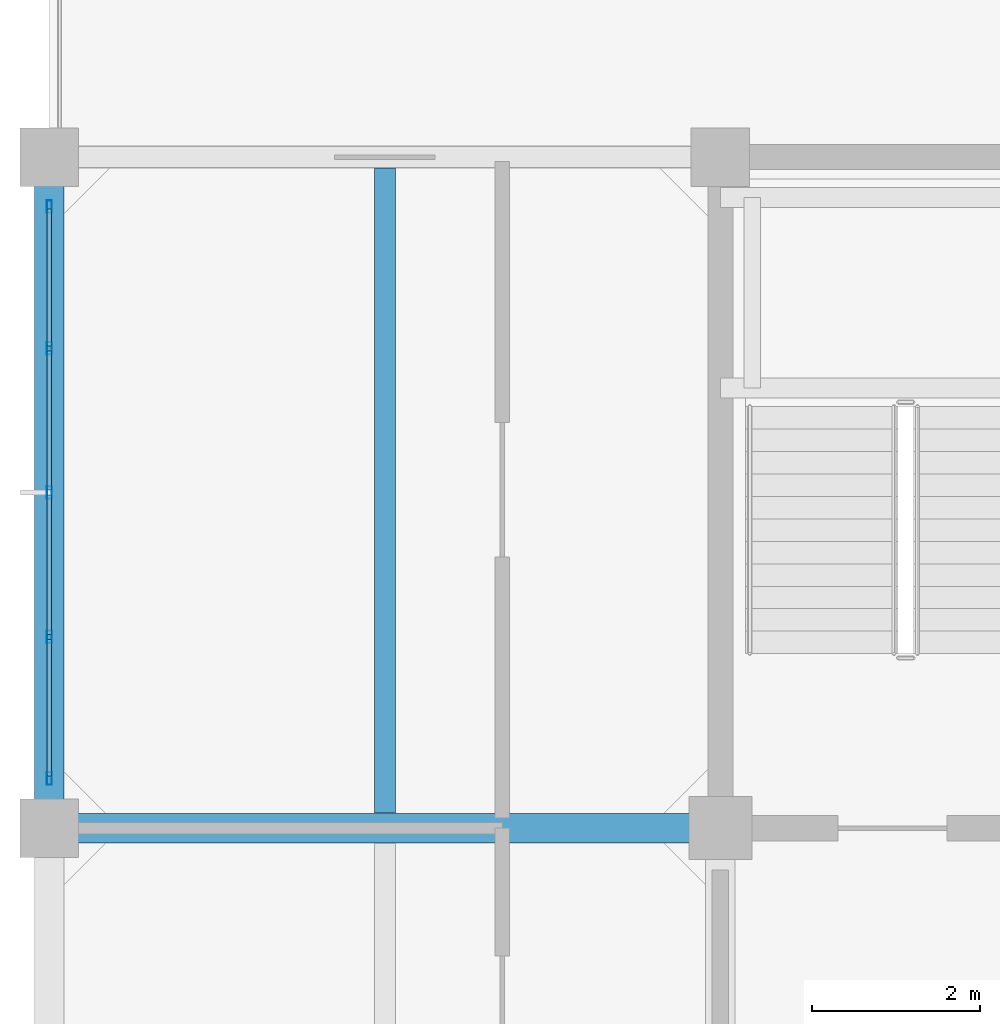
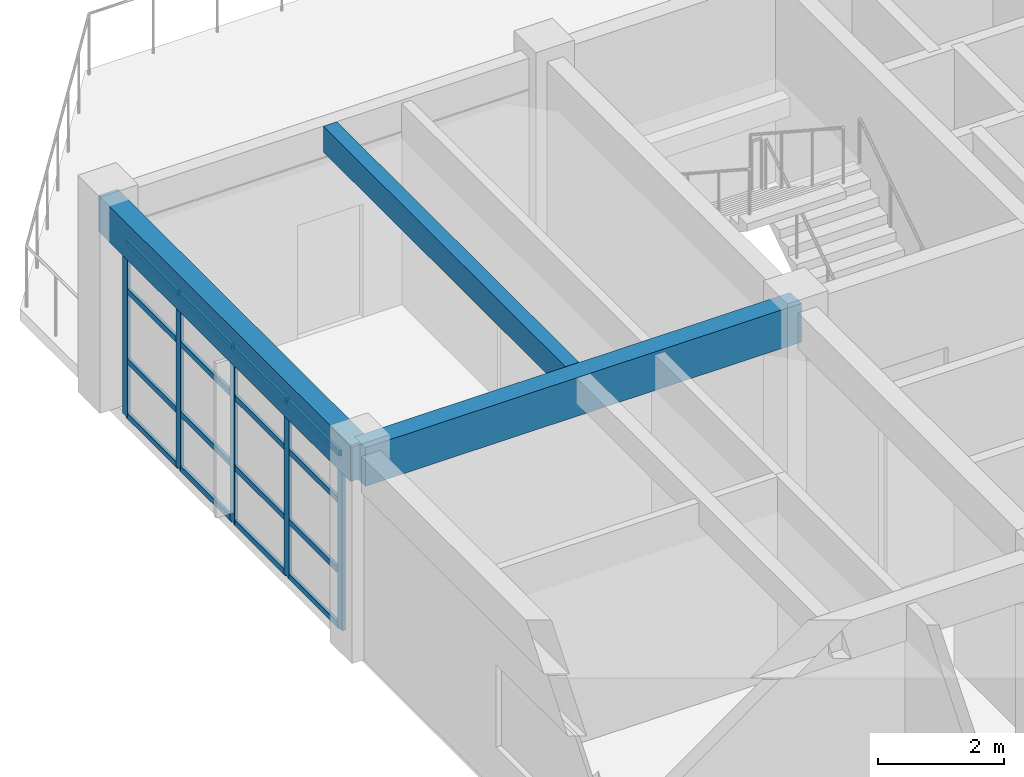
# One storey, part 8 of 19: 21 members, 3 beams, 1 element without a shape of its own.
"""IFC4 building model written with IfcOpenShell, lengths in metres."""

from ifc_helpers import new_model, si_unit, direction, frame, origin, origin_2d, place, context, subcontext, project, spatial, rectangle, hollow_rectangle, extrude, material, layer, layer_set, material_profile, profile_set, type_object, element, aggregate, save


model = new_model("IFC4")

# Units and contexts
model_context = context("Model", 3, precision=1e-05, world=origin(), true_north=direction((0.0, 1.0)))
body_context = subcontext(model_context, "Body", "Model", "MODEL_VIEW")
ifc_project = project(units=[si_unit("LENGTHUNIT", "METRE"), si_unit("AREAUNIT", "SQUARE_METRE"), si_unit("VOLUMEUNIT", "CUBIC_METRE"), si_unit("PLANEANGLEUNIT", "RADIAN"), si_unit("MASSUNIT", "GRAM", prefix="KILO")], contexts=[model_context])

# Site, building, storey
site_placement = place(None, origin())
site = spatial("IfcSite", under=ifc_project, at=site_placement, CompositionType="ELEMENT")
building_placement = place(site_placement, origin())
building = spatial("IfcBuilding", under=site, at=building_placement, Name="Canggui Botanical Conservatory", CompositionType="ELEMENT")
storey_placement = place(building_placement, frame((0.0, 0.0, 48.60009765625)))
storey = spatial("IfcBuildingStorey", under=building, at=storey_placement, Name="L12", CompositionType="ELEMENT", Elevation=48.60009765625)

# Beams
ifc_material_1 = material(Name="Concrete C35", Category="concrete")
ifc_material_profile_1 = material_profile(ifc_material_1, rectangle(XDim=0.25, YDim=0.5, at=origin_2d()), Name="RB 250x500")
ifc_profile_set_1 = profile_set([ifc_material_profile_1], Name="Concrete C35")
beam_type_1 = type_object("IfcBeamType", Name="BM-JST04", PredefinedType="JOIST", material=ifc_profile_set_1)
beam_1_placement = place(storey_placement, frame((150.0, 58.179931640625, 3.7099609375), z_axis=(0.0, 1.0, 0.0), x_axis=(-1.0, 0.0, 0.0)))
element("IfcBeam", 1, at=beam_1_placement, inside=storey, type_object=beam_type_1, Name="Secondary Floor Joist L12-1-4", PredefinedType="JOIST", context=body_context, shape_type="SweptSolid", body=[
    extrude(rectangle(XDim=0.25, YDim=0.5, at=origin_2d()), origin(), (0.0, 0.0, 1.0), 7.690185546875),
])
ifc_material_profile_2 = material_profile(ifc_material_1, rectangle(XDim=0.35009765625, YDim=0.75, at=origin_2d()), Name="RB 350x750")
ifc_profile_set_2 = profile_set([ifc_material_profile_2], Name="Concrete C35")
beam_type_2 = type_object("IfcBeamType", Name="BM-KL16", PredefinedType="BEAM", material=ifc_profile_set_2)
beam_2_placement = place(storey_placement, frame((146.0, 58.0, 3.5849609375), z_axis=(1.0, 0.0, 0.0), x_axis=(0.0, 1.0, 0.0)))
element("IfcBeam", 2, at=beam_2_placement, inside=storey, type_object=beam_type_2, Name="Frame Girder L12 Y58-1", PredefinedType="BEAM", context=body_context, shape_type="SweptSolid", body=[
    extrude(rectangle(XDim=0.35009765625, YDim=0.75, at=origin_2d()), origin(), (0.0, 0.0, 1.0), 8.0),
])
ifc_material_profile_3 = material_profile(ifc_material_1, rectangle(XDim=0.35009765625, YDim=0.699951171875, at=origin_2d()), Name="RB 350x700")
ifc_profile_set_3 = profile_set([ifc_material_profile_3], Name="Concrete C35")
beam_type_3 = type_object("IfcBeamType", Name="BM-KL17", PredefinedType="BEAM", material=ifc_profile_set_3)
beam_3_placement = place(storey_placement, frame((146.0, 58.0, 3.60986328125), z_axis=(0.0, 1.0, 0.0), x_axis=(-1.0, 0.0, 0.0)))
element("IfcBeam", 3, at=beam_3_placement, inside=storey, type_object=beam_type_3, Name="Frame Girder L12 X146-4", PredefinedType="BEAM", context=body_context, shape_type="SweptSolid", body=[
    extrude(rectangle(XDim=0.35009765625, YDim=0.699951171875, at=origin_2d()), origin(), (0.0, 0.0, 1.0), 8.0),
])

# Curtain wall, members
ifc_material_2 = material(Name="Thermally Broken Aluminium", Category="aluminium")
ifc_layer = layer(ifc_material_2, 0.14990234375, Name="Thermally Broken Aluminium", Category="aluminium")
ifc_layer_set = layer_set([ifc_layer], Name="Thermally Broken Aluminium")
curtain_wall_type = type_object("IfcCurtainWallType", Name="CW-UNIT-C", PredefinedType="USERDEFINED", material=ifc_layer_set)
curtain_wall_placement = place(storey_placement, origin())
curtain_wall = element("IfcCurtainWall", 4, at=curtain_wall_placement, inside=storey, type_object=curtain_wall_type, Name="Facade Curtain Wall CW-TWR-L12-08", ObjectType="UNITISED CURTAIN WALL", PredefinedType="USERDEFINED")
ifc_material_profile_4 = material_profile(ifc_material_2, hollow_rectangle(XDim=0.06005859375, YDim=0.14990234375, WallThickness=0.00341796875, at=origin_2d()), Name="CWM 60x150x3.5")
ifc_profile_set_4 = profile_set([ifc_material_profile_4], Name="Thermally Broken Aluminium")
member_type_1 = type_object("IfcMemberType", Name="CWM-03", PredefinedType="MULLION", material=ifc_profile_set_4)
member_1_placement = place(storey_placement, frame((146.0, 58.590087890625, 0.0), z_axis=(0.0, 0.0, 1.0), x_axis=(-1.0, 0.0, 0.0)))
member_1 = element("IfcMember", 5, at=member_1_placement, type_object=member_type_1, Name="CW-03 mullion 1", PredefinedType="MULLION", context=body_context, shape_type="SweptSolid", body=[
    extrude(hollow_rectangle(XDim=0.06005859375, YDim=0.14990234375, WallThickness=0.00341796875, at=origin_2d()), origin(), (0.0, 0.0, 1.0), 3.39990234375),
])
member_2_placement = place(storey_placement, frame((146.0, 60.280029296875, 0.0), z_axis=(0.0, 0.0, 1.0), x_axis=(-1.0, 0.0, 0.0)))
member_2 = element("IfcMember", 6, at=member_2_placement, type_object=member_type_1, Name="CW-03 mullion 2", PredefinedType="MULLION", context=body_context, shape_type="SweptSolid", body=[
    extrude(hollow_rectangle(XDim=0.06005859375, YDim=0.14990234375, WallThickness=0.00341796875, at=origin_2d()), origin(), (0.0, 0.0, 1.0), 3.39990234375),
])
member_3_placement = place(storey_placement, frame((146.0, 62.0, 0.0), z_axis=(0.0, 0.0, 1.0), x_axis=(-1.0, 0.0, 0.0)))
member_3 = element("IfcMember", 7, at=member_3_placement, type_object=member_type_1, Name="CW-03 mullion 3", PredefinedType="MULLION", context=body_context, shape_type="SweptSolid", body=[
    extrude(hollow_rectangle(XDim=0.06005859375, YDim=0.14990234375, WallThickness=0.00341796875, at=origin_2d()), origin(), (0.0, 0.0, 1.0), 3.39990234375),
])
member_4_placement = place(storey_placement, frame((146.0, 63.719970703125, 0.0), z_axis=(0.0, 0.0, 1.0), x_axis=(-1.0, 0.0, 0.0)))
member_4 = element("IfcMember", 8, at=member_4_placement, type_object=member_type_1, Name="CW-03 mullion 4", PredefinedType="MULLION", context=body_context, shape_type="SweptSolid", body=[
    extrude(hollow_rectangle(XDim=0.06005859375, YDim=0.14990234375, WallThickness=0.00341796875, at=origin_2d()), origin(), (0.0, 0.0, 1.0), 3.39990234375),
])
member_5_placement = place(storey_placement, frame((146.0, 65.409912109375, 0.0), z_axis=(0.0, 0.0, 1.0), x_axis=(-1.0, 0.0, 0.0)))
member_5 = element("IfcMember", 9, at=member_5_placement, type_object=member_type_1, Name="CW-03 mullion 5", PredefinedType="MULLION", context=body_context, shape_type="SweptSolid", body=[
    extrude(hollow_rectangle(XDim=0.06005859375, YDim=0.14990234375, WallThickness=0.00341796875, at=origin_2d()), origin(), (0.0, 0.0, 1.0), 3.39990234375),
])
ifc_material_profile_5 = material_profile(ifc_material_2, hollow_rectangle(XDim=0.054931640625, YDim=0.110107421875, WallThickness=0.0029296875, at=origin_2d()), Name="CWT 55x110x3")
ifc_profile_set_5 = profile_set([ifc_material_profile_5], Name="Thermally Broken Aluminium")
member_type_2 = type_object("IfcMemberType", Name="CWT-03", PredefinedType="USERDEFINED", material=ifc_profile_set_5)
member_6_placement = place(storey_placement, frame((146.0, 58.6201171875, 0.02734375), z_axis=(0.0, 1.0, 0.0), x_axis=(-1.0, 0.0, 0.0)))
member_6 = element("IfcMember", 10, at=member_6_placement, type_object=member_type_2, Name="CW-03 transom 1.1", ObjectType="TRANSOM", PredefinedType="USERDEFINED", context=body_context, shape_type="SweptSolid", body=[
    extrude(hollow_rectangle(XDim=0.054931640625, YDim=0.110107421875, WallThickness=0.0029296875, at=origin_2d()), origin(), (0.0, 0.0, 1.0), 1.6298828125),
])
member_7_placement = place(storey_placement, frame((146.0, 58.6201171875, 1.087890625), z_axis=(0.0, 1.0, 0.0), x_axis=(-1.0, 0.0, 0.0)))
member_7 = element("IfcMember", 11, at=member_7_placement, type_object=member_type_2, Name="CW-03 transom 1.2", ObjectType="TRANSOM", PredefinedType="USERDEFINED", context=body_context, shape_type="SweptSolid", body=[
    extrude(hollow_rectangle(XDim=0.054931640625, YDim=0.110107421875, WallThickness=0.0029296875, at=origin_2d()), origin(), (0.0, 0.0, 1.0), 1.6298828125),
])
member_8_placement = place(storey_placement, frame((146.0, 58.6201171875, 2.447998046875), z_axis=(0.0, 1.0, 0.0), x_axis=(-1.0, 0.0, 0.0)))
member_8 = element("IfcMember", 12, at=member_8_placement, type_object=member_type_2, Name="CW-03 transom 1.3", ObjectType="TRANSOM", PredefinedType="USERDEFINED", context=body_context, shape_type="SweptSolid", body=[
    extrude(hollow_rectangle(XDim=0.054931640625, YDim=0.110107421875, WallThickness=0.0029296875, at=origin_2d()), origin(), (0.0, 0.0, 1.0), 1.6298828125),
])
member_9_placement = place(storey_placement, frame((146.0, 58.6201171875, 3.372314453125), z_axis=(0.0, 1.0, 0.0), x_axis=(-1.0, 0.0, 0.0)))
member_9 = element("IfcMember", 13, at=member_9_placement, type_object=member_type_2, Name="CW-03 transom 1.4", ObjectType="TRANSOM", PredefinedType="USERDEFINED", context=body_context, shape_type="SweptSolid", body=[
    extrude(hollow_rectangle(XDim=0.054931640625, YDim=0.110107421875, WallThickness=0.0029296875, at=origin_2d()), origin(), (0.0, 0.0, 1.0), 1.6298828125),
])
member_10_placement = place(storey_placement, frame((146.0, 60.31005859375, 0.02734375), z_axis=(0.0, 1.0, 0.0), x_axis=(-1.0, 0.0, 0.0)))
member_10 = element("IfcMember", 14, at=member_10_placement, type_object=member_type_2, Name="CW-03 transom 2.1", ObjectType="TRANSOM", PredefinedType="USERDEFINED", context=body_context, shape_type="SweptSolid", body=[
    extrude(hollow_rectangle(XDim=0.054931640625, YDim=0.110107421875, WallThickness=0.0029296875, at=origin_2d()), origin(), (0.0, 0.0, 1.0), 1.659912109375),
])
member_11_placement = place(storey_placement, frame((146.0, 60.31005859375, 1.087890625), z_axis=(0.0, 1.0, 0.0), x_axis=(-1.0, 0.0, 0.0)))
member_11 = element("IfcMember", 15, at=member_11_placement, type_object=member_type_2, Name="CW-03 transom 2.2", ObjectType="TRANSOM", PredefinedType="USERDEFINED", context=body_context, shape_type="SweptSolid", body=[
    extrude(hollow_rectangle(XDim=0.054931640625, YDim=0.110107421875, WallThickness=0.0029296875, at=origin_2d()), origin(), (0.0, 0.0, 1.0), 1.659912109375),
])
member_12_placement = place(storey_placement, frame((146.0, 60.31005859375, 2.447998046875), z_axis=(0.0, 1.0, 0.0), x_axis=(-1.0, 0.0, 0.0)))
member_12 = element("IfcMember", 16, at=member_12_placement, type_object=member_type_2, Name="CW-03 transom 2.3", ObjectType="TRANSOM", PredefinedType="USERDEFINED", context=body_context, shape_type="SweptSolid", body=[
    extrude(hollow_rectangle(XDim=0.054931640625, YDim=0.110107421875, WallThickness=0.0029296875, at=origin_2d()), origin(), (0.0, 0.0, 1.0), 1.659912109375),
])
member_13_placement = place(storey_placement, frame((146.0, 60.31005859375, 3.372314453125), z_axis=(0.0, 1.0, 0.0), x_axis=(-1.0, 0.0, 0.0)))
member_13 = element("IfcMember", 17, at=member_13_placement, type_object=member_type_2, Name="CW-03 transom 2.4", ObjectType="TRANSOM", PredefinedType="USERDEFINED", context=body_context, shape_type="SweptSolid", body=[
    extrude(hollow_rectangle(XDim=0.054931640625, YDim=0.110107421875, WallThickness=0.0029296875, at=origin_2d()), origin(), (0.0, 0.0, 1.0), 1.659912109375),
])
member_14_placement = place(storey_placement, frame((146.0, 62.030029296875, 0.02734375), z_axis=(0.0, 1.0, 0.0), x_axis=(-1.0, 0.0, 0.0)))
member_14 = element("IfcMember", 18, at=member_14_placement, type_object=member_type_2, Name="CW-03 transom 3.1", ObjectType="TRANSOM", PredefinedType="USERDEFINED", context=body_context, shape_type="SweptSolid", body=[
    extrude(hollow_rectangle(XDim=0.054931640625, YDim=0.110107421875, WallThickness=0.0029296875, at=origin_2d()), origin(), (0.0, 0.0, 1.0), 1.659912109375),
])
member_15_placement = place(storey_placement, frame((146.0, 62.030029296875, 1.087890625), z_axis=(0.0, 1.0, 0.0), x_axis=(-1.0, 0.0, 0.0)))
member_15 = element("IfcMember", 19, at=member_15_placement, type_object=member_type_2, Name="CW-03 transom 3.2", ObjectType="TRANSOM", PredefinedType="USERDEFINED", context=body_context, shape_type="SweptSolid", body=[
    extrude(hollow_rectangle(XDim=0.054931640625, YDim=0.110107421875, WallThickness=0.0029296875, at=origin_2d()), origin(), (0.0, 0.0, 1.0), 1.659912109375),
])
member_16_placement = place(storey_placement, frame((146.0, 62.030029296875, 2.447998046875), z_axis=(0.0, 1.0, 0.0), x_axis=(-1.0, 0.0, 0.0)))
member_16 = element("IfcMember", 20, at=member_16_placement, type_object=member_type_2, Name="CW-03 transom 3.3", ObjectType="TRANSOM", PredefinedType="USERDEFINED", context=body_context, shape_type="SweptSolid", body=[
    extrude(hollow_rectangle(XDim=0.054931640625, YDim=0.110107421875, WallThickness=0.0029296875, at=origin_2d()), origin(), (0.0, 0.0, 1.0), 1.659912109375),
])
member_17_placement = place(storey_placement, frame((146.0, 62.030029296875, 3.372314453125), z_axis=(0.0, 1.0, 0.0), x_axis=(-1.0, 0.0, 0.0)))
member_17 = element("IfcMember", 21, at=member_17_placement, type_object=member_type_2, Name="CW-03 transom 3.4", ObjectType="TRANSOM", PredefinedType="USERDEFINED", context=body_context, shape_type="SweptSolid", body=[
    extrude(hollow_rectangle(XDim=0.054931640625, YDim=0.110107421875, WallThickness=0.0029296875, at=origin_2d()), origin(), (0.0, 0.0, 1.0), 1.659912109375),
])
member_18_placement = place(storey_placement, frame((146.0, 63.75, 0.02734375), z_axis=(0.0, 1.0, 0.0), x_axis=(-1.0, 0.0, 0.0)))
member_18 = element("IfcMember", 22, at=member_18_placement, type_object=member_type_2, Name="CW-03 transom 4.1", ObjectType="TRANSOM", PredefinedType="USERDEFINED", context=body_context, shape_type="SweptSolid", body=[
    extrude(hollow_rectangle(XDim=0.054931640625, YDim=0.110107421875, WallThickness=0.0029296875, at=origin_2d()), origin(), (0.0, 0.0, 1.0), 1.6298828125),
])
member_19_placement = place(storey_placement, frame((146.0, 63.75, 1.087890625), z_axis=(0.0, 1.0, 0.0), x_axis=(-1.0, 0.0, 0.0)))
member_19 = element("IfcMember", 23, at=member_19_placement, type_object=member_type_2, Name="CW-03 transom 4.2", ObjectType="TRANSOM", PredefinedType="USERDEFINED", context=body_context, shape_type="SweptSolid", body=[
    extrude(hollow_rectangle(XDim=0.054931640625, YDim=0.110107421875, WallThickness=0.0029296875, at=origin_2d()), origin(), (0.0, 0.0, 1.0), 1.6298828125),
])
member_20_placement = place(storey_placement, frame((146.0, 63.75, 2.447998046875), z_axis=(0.0, 1.0, 0.0), x_axis=(-1.0, 0.0, 0.0)))
member_20 = element("IfcMember", 24, at=member_20_placement, type_object=member_type_2, Name="CW-03 transom 4.3", ObjectType="TRANSOM", PredefinedType="USERDEFINED", context=body_context, shape_type="SweptSolid", body=[
    extrude(hollow_rectangle(XDim=0.054931640625, YDim=0.110107421875, WallThickness=0.0029296875, at=origin_2d()), origin(), (0.0, 0.0, 1.0), 1.6298828125),
])
member_21_placement = place(storey_placement, frame((146.0, 63.75, 3.372314453125), z_axis=(0.0, 1.0, 0.0), x_axis=(-1.0, 0.0, 0.0)))
member_21 = element("IfcMember", 25, at=member_21_placement, type_object=member_type_2, Name="CW-03 transom 4.4", ObjectType="TRANSOM", PredefinedType="USERDEFINED", context=body_context, shape_type="SweptSolid", body=[
    extrude(hollow_rectangle(XDim=0.054931640625, YDim=0.110107421875, WallThickness=0.0029296875, at=origin_2d()), origin(), (0.0, 0.0, 1.0), 1.6298828125),
])
aggregate(curtain_wall, [member_1, member_2, member_3, member_4, member_5, member_6, member_7, member_8, member_9, member_10, member_11, member_12, member_13, member_14, member_15, member_16, member_17, member_18, member_19, member_20, member_21])

save(model, "model.ifc")
